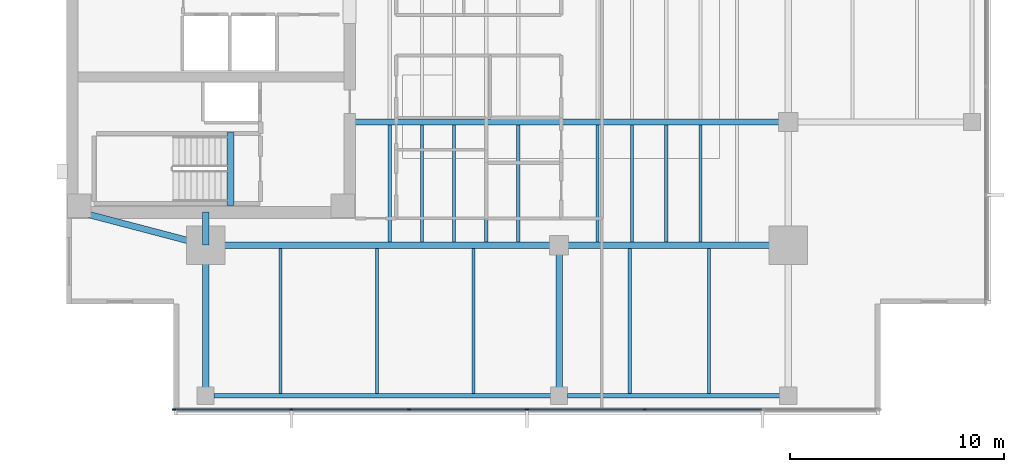
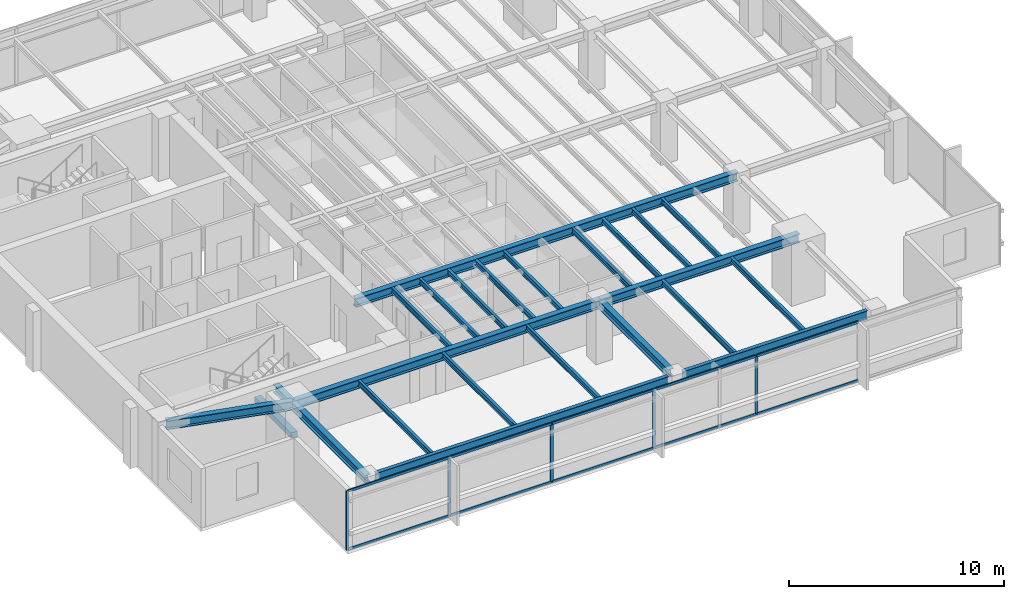
# One storey, part 2 of 14: 24 beams, 15 members, 1 element without a shape of its own.
"""IFC4 building model written with IfcOpenShell, lengths in metres."""

from ifc_helpers import new_model, si_unit, direction, frame, origin, origin_2d, place, context, subcontext, project, spatial, rectangle, i_section, extrude, material, layer, layer_set, material_profile, profile_set, type_object, element, aggregate, save


model = new_model("IFC4")

# Units and contexts
model_context = context("Model", 3, precision=1e-05, world=origin(), true_north=direction((0.0, 1.0)))
body_context = subcontext(model_context, "Body", "Model", "MODEL_VIEW")
ifc_project = project(units=[si_unit("LENGTHUNIT", "METRE"), si_unit("AREAUNIT", "SQUARE_METRE"), si_unit("VOLUMEUNIT", "CUBIC_METRE"), si_unit("PLANEANGLEUNIT", "RADIAN"), si_unit("MASSUNIT", "GRAM", prefix="KILO")], contexts=[model_context])

# Site, building, storey
site_placement = place(None, origin())
site = spatial("IfcSite", under=ifc_project, at=site_placement, CompositionType="ELEMENT")
building_placement = place(site_placement, origin())
building = spatial("IfcBuilding", under=site, at=building_placement, Name="Kinhvarn Gate Tower", CompositionType="ELEMENT")
storey_placement = place(building_placement, frame((0.0, 0.0, 195.14990234375)))
storey = spatial("IfcBuildingStorey", under=building, at=storey_placement, Name="L51", CompositionType="ELEMENT", Elevation=195.14990234375)

# Beam
ifc_material_1 = material(Name="Concrete C50/60", Category="concrete")
ifc_material_profile_1 = material_profile(ifc_material_1, rectangle(XDim=0.340087890625, YDim=0.320068359375, at=origin_2d()), Name="RC 340x320")
ifc_profile_set_1 = profile_set([ifc_material_profile_1], Name="Concrete C50/60")
beam_type_1 = type_object("IfcBeamType", Name="BM-LND-500", PredefinedType="BEAM", material=ifc_profile_set_1)
beam_1_placement = place(storey_placement, frame((12.1650390625, 14.60009765625, -0.159912109375), z_axis=(0.0, 1.0, 0.0), x_axis=(-1.0, 0.0, 0.0)))
element("IfcBeam", 1, at=beam_1_placement, inside=storey, type_object=beam_type_1, Name="Stair ST1 Landing Nosing Beam (L51)", PredefinedType="BEAM", context=body_context, shape_type="SweptSolid", body=[
    extrude(rectangle(XDim=0.340087890625, YDim=0.320068359375, at=origin_2d()), origin(), (0.0, 0.0, 1.0), 3.39990234375),
])

# Curtain wall, members
ifc_material_2 = material(Name="Anodised aluminium AW-6063", Category="aluminium")
ifc_layer = layer(ifc_material_2, 0.179931640625)
ifc_layer_set = layer_set([ifc_layer], Name="Anodised aluminium AW-6063")
curtain_wall_type = type_object("IfcCurtainWallType", Name="CW-SYS-3", PredefinedType="NOTDEFINED", material=ifc_layer_set)
curtain_wall_placement = place(storey_placement, origin())
curtain_wall = element("IfcCurtainWall", 2, at=curtain_wall_placement, inside=storey, type_object=curtain_wall_type, Name="Curtain Wall CW3 (L51)", PredefinedType="NOTDEFINED")
ifc_material_profile_2 = material_profile(ifc_material_2, rectangle(XDim=0.06494140625, YDim=0.159912109375, at=origin_2d()), Name="ALU 65x160")
ifc_profile_set_2 = profile_set([ifc_material_profile_2], Name="Anodised aluminium AW-6063")
member_type_1 = type_object("IfcMemberType", Name="CW-MUL-160", PredefinedType="MULLION", material=ifc_profile_set_2)
member_1_placement = place(storey_placement, frame((9.532470703125, 5.090087890625, 0.0), z_axis=(0.0, 0.0, 1.0), x_axis=(0.0, 1.0, 0.0)))
member_1 = element("IfcMember", 3, at=member_1_placement, type_object=member_type_1, Name="CW3 mullion 1", PredefinedType="MULLION", context=body_context, shape_type="SweptSolid", body=[
    extrude(rectangle(XDim=0.06494140625, YDim=0.159912109375, at=origin_2d()), origin(), (0.0, 0.0, 1.0), 3.3701171875),
])
member_2_placement = place(storey_placement, frame((15.0, 5.090087890625, 0.0), z_axis=(0.0, 0.0, 1.0), x_axis=(0.0, 1.0, 0.0)))
member_2 = element("IfcMember", 4, at=member_2_placement, type_object=member_type_1, Name="CW3 mullion 2", PredefinedType="MULLION", context=body_context, shape_type="SweptSolid", body=[
    extrude(rectangle(XDim=0.06494140625, YDim=0.159912109375, at=origin_2d()), origin(), (0.0, 0.0, 1.0), 3.3701171875),
])
member_3_placement = place(storey_placement, frame((20.5, 5.090087890625, 0.0), z_axis=(0.0, 0.0, 1.0), x_axis=(0.0, 1.0, 0.0)))
member_3 = element("IfcMember", 5, at=member_3_placement, type_object=member_type_1, Name="CW3 mullion 3", PredefinedType="MULLION", context=body_context, shape_type="SweptSolid", body=[
    extrude(rectangle(XDim=0.06494140625, YDim=0.159912109375, at=origin_2d()), origin(), (0.0, 0.0, 1.0), 3.3701171875),
])
member_4_placement = place(storey_placement, frame((26.0, 5.090087890625, 0.0), z_axis=(0.0, 0.0, 1.0), x_axis=(0.0, 1.0, 0.0)))
member_4 = element("IfcMember", 6, at=member_4_placement, type_object=member_type_1, Name="CW3 mullion 4", PredefinedType="MULLION", context=body_context, shape_type="SweptSolid", body=[
    extrude(rectangle(XDim=0.06494140625, YDim=0.159912109375, at=origin_2d()), origin(), (0.0, 0.0, 1.0), 3.3701171875),
])
member_5_placement = place(storey_placement, frame((31.5, 5.090087890625, 0.0), z_axis=(0.0, 0.0, 1.0), x_axis=(0.0, 1.0, 0.0)))
member_5 = element("IfcMember", 7, at=member_5_placement, type_object=member_type_1, Name="CW3 mullion 5", PredefinedType="MULLION", context=body_context, shape_type="SweptSolid", body=[
    extrude(rectangle(XDim=0.06494140625, YDim=0.159912109375, at=origin_2d()), origin(), (0.0, 0.0, 1.0), 3.3701171875),
])
ifc_material_profile_3 = material_profile(ifc_material_2, rectangle(XDim=0.070068359375, YDim=0.139892578125, at=origin_2d()), Name="ALU 70x140")
ifc_profile_set_3 = profile_set([ifc_material_profile_3], Name="Anodised aluminium AW-6063")
member_type_2 = type_object("IfcMemberType", Name="CW-TRN-140", PredefinedType="USERDEFINED", material=ifc_profile_set_3)
member_6_placement = place(storey_placement, frame((9.56494140625, 5.090087890625, 0.03515625), z_axis=(1.0, 0.0, 0.0), x_axis=(0.0, 1.0, 0.0)))
member_6 = element("IfcMember", 8, at=member_6_placement, type_object=member_type_2, Name="CW3 transom 1.1", ObjectType="TRANSOM", PredefinedType="USERDEFINED", context=body_context, shape_type="SweptSolid", body=[
    extrude(rectangle(XDim=0.070068359375, YDim=0.139892578125, at=origin_2d()), origin(), (0.0, 0.0, 1.0), 5.402587890625),
])
member_7_placement = place(storey_placement, frame((9.56494140625, 5.090087890625, 3.335205078125), z_axis=(1.0, 0.0, 0.0), x_axis=(0.0, 1.0, 0.0)))
member_7 = element("IfcMember", 9, at=member_7_placement, type_object=member_type_2, Name="CW3 transom 1.2", ObjectType="TRANSOM", PredefinedType="USERDEFINED", context=body_context, shape_type="SweptSolid", body=[
    extrude(rectangle(XDim=0.070068359375, YDim=0.139892578125, at=origin_2d()), origin(), (0.0, 0.0, 1.0), 5.402587890625),
])
member_8_placement = place(storey_placement, frame((15.032470703125, 5.090087890625, 0.03515625), z_axis=(1.0, 0.0, 0.0), x_axis=(0.0, 1.0, 0.0)))
member_8 = element("IfcMember", 10, at=member_8_placement, type_object=member_type_2, Name="CW3 transom 2.1", ObjectType="TRANSOM", PredefinedType="USERDEFINED", context=body_context, shape_type="SweptSolid", body=[
    extrude(rectangle(XDim=0.070068359375, YDim=0.139892578125, at=origin_2d()), origin(), (0.0, 0.0, 1.0), 5.43505859375),
])
member_9_placement = place(storey_placement, frame((15.032470703125, 5.090087890625, 3.335205078125), z_axis=(1.0, 0.0, 0.0), x_axis=(0.0, 1.0, 0.0)))
member_9 = element("IfcMember", 11, at=member_9_placement, type_object=member_type_2, Name="CW3 transom 2.2", ObjectType="TRANSOM", PredefinedType="USERDEFINED", context=body_context, shape_type="SweptSolid", body=[
    extrude(rectangle(XDim=0.070068359375, YDim=0.139892578125, at=origin_2d()), origin(), (0.0, 0.0, 1.0), 5.43505859375),
])
member_10_placement = place(storey_placement, frame((20.532470703125, 5.090087890625, 0.03515625), z_axis=(1.0, 0.0, 0.0), x_axis=(0.0, 1.0, 0.0)))
member_10 = element("IfcMember", 12, at=member_10_placement, type_object=member_type_2, Name="CW3 transom 3.1", ObjectType="TRANSOM", PredefinedType="USERDEFINED", context=body_context, shape_type="SweptSolid", body=[
    extrude(rectangle(XDim=0.070068359375, YDim=0.139892578125, at=origin_2d()), origin(), (0.0, 0.0, 1.0), 5.43505859375),
])
member_11_placement = place(storey_placement, frame((20.532470703125, 5.090087890625, 3.335205078125), z_axis=(1.0, 0.0, 0.0), x_axis=(0.0, 1.0, 0.0)))
member_11 = element("IfcMember", 13, at=member_11_placement, type_object=member_type_2, Name="CW3 transom 3.2", ObjectType="TRANSOM", PredefinedType="USERDEFINED", context=body_context, shape_type="SweptSolid", body=[
    extrude(rectangle(XDim=0.070068359375, YDim=0.139892578125, at=origin_2d()), origin(), (0.0, 0.0, 1.0), 5.43505859375),
])
member_12_placement = place(storey_placement, frame((26.032470703125, 5.090087890625, 0.03515625), z_axis=(1.0, 0.0, 0.0), x_axis=(0.0, 1.0, 0.0)))
member_12 = element("IfcMember", 14, at=member_12_placement, type_object=member_type_2, Name="CW3 transom 4.1", ObjectType="TRANSOM", PredefinedType="USERDEFINED", context=body_context, shape_type="SweptSolid", body=[
    extrude(rectangle(XDim=0.070068359375, YDim=0.139892578125, at=origin_2d()), origin(), (0.0, 0.0, 1.0), 5.43505859375),
])
member_13_placement = place(storey_placement, frame((26.032470703125, 5.090087890625, 3.335205078125), z_axis=(1.0, 0.0, 0.0), x_axis=(0.0, 1.0, 0.0)))
member_13 = element("IfcMember", 15, at=member_13_placement, type_object=member_type_2, Name="CW3 transom 4.2", ObjectType="TRANSOM", PredefinedType="USERDEFINED", context=body_context, shape_type="SweptSolid", body=[
    extrude(rectangle(XDim=0.070068359375, YDim=0.139892578125, at=origin_2d()), origin(), (0.0, 0.0, 1.0), 5.43505859375),
])
member_14_placement = place(storey_placement, frame((31.532470703125, 5.090087890625, 0.03515625), z_axis=(1.0, 0.0, 0.0), x_axis=(0.0, 1.0, 0.0)))
member_14 = element("IfcMember", 16, at=member_14_placement, type_object=member_type_2, Name="CW3 transom 5.1", ObjectType="TRANSOM", PredefinedType="USERDEFINED", context=body_context, shape_type="SweptSolid", body=[
    extrude(rectangle(XDim=0.070068359375, YDim=0.139892578125, at=origin_2d()), origin(), (0.0, 0.0, 1.0), 5.43505859375),
])
member_15_placement = place(storey_placement, frame((31.532470703125, 5.090087890625, 3.335205078125), z_axis=(1.0, 0.0, 0.0), x_axis=(0.0, 1.0, 0.0)))
member_15 = element("IfcMember", 17, at=member_15_placement, type_object=member_type_2, Name="CW3 transom 5.2", ObjectType="TRANSOM", PredefinedType="USERDEFINED", context=body_context, shape_type="SweptSolid", body=[
    extrude(rectangle(XDim=0.070068359375, YDim=0.139892578125, at=origin_2d()), origin(), (0.0, 0.0, 1.0), 5.43505859375),
])
aggregate(curtain_wall, [member_1, member_2, member_3, member_4, member_5, member_6, member_7, member_8, member_9, member_10, member_11, member_12, member_13, member_14, member_15])

# Beams
ifc_material_3 = material(Name="Steel S355", Category="steel")
ifc_material_profile_4 = material_profile(ifc_material_3, i_section(OverallWidth=0.300048828125, OverallDepth=0.449951171875, WebThickness=0.013916015625, FlangeThickness=0.02587890625, at=origin_2d()), Name="HEB 450")
ifc_profile_set_4 = profile_set([ifc_material_profile_4], Name="Steel S355")
beam_type_2 = type_object("IfcBeamType", Name="STL-HEB450", PredefinedType="BEAM", material=ifc_profile_set_4)
beam_2_placement = place(storey_placement, frame((11.0, 5.719970703125, 3.14501953125), z_axis=(0.0, 1.0, 0.0), x_axis=(-1.0, 0.0, 0.0)))
element("IfcBeam", 18, at=beam_2_placement, inside=storey, type_object=beam_type_2, Name="Floor Beam PG-13 (L51 MCW-S)", PredefinedType="BEAM", context=body_context, shape_type="SweptSolid", body=[
    extrude(i_section(OverallWidth=0.300048828125, OverallDepth=0.449951171875, WebThickness=0.013916015625, FlangeThickness=0.02587890625, at=origin_2d()), origin(), (0.0, 0.0, 1.0), 7.030029296875),
])
beam_3_placement = place(storey_placement, frame((11.0, 12.75, 3.14501953125), z_axis=(0.0, 1.0, 0.0), x_axis=(-1.0, 0.0, 0.0)))
element("IfcBeam", 19, at=beam_3_placement, inside=storey, type_object=beam_type_2, Name="Floor Beam PG-13 (L51 MCW-CS)", PredefinedType="BEAM", context=body_context, shape_type="SweptSolid", body=[
    extrude(i_section(OverallWidth=0.300048828125, OverallDepth=0.449951171875, WebThickness=0.013916015625, FlangeThickness=0.02587890625, at=origin_2d()), origin(), (0.0, 0.0, 1.0), 1.550048828125),
])
beam_4_placement = place(storey_placement, frame((27.5, 6.10498046875, 3.14501953125), z_axis=(0.0, 1.0, 0.0), x_axis=(-1.0, 0.0, 0.0)))
element("IfcBeam", 20, at=beam_4_placement, inside=storey, type_object=beam_type_2, Name="Floor Beam PG-13 (L51 SP27-S-TIE)", PredefinedType="BEAM", context=body_context, shape_type="SweptSolid", body=[
    extrude(i_section(OverallWidth=0.300048828125, OverallDepth=0.449951171875, WebThickness=0.013916015625, FlangeThickness=0.02587890625, at=origin_2d()), origin(), (0.0, 0.0, 1.0), 6.64501953125),
])
ifc_material_profile_5 = material_profile(ifc_material_3, i_section(OverallWidth=0.300048828125, OverallDepth=0.5, WebThickness=0.014404296875, FlangeThickness=0.028076171875, at=origin_2d()), Name="HEB 500")
ifc_profile_set_5 = profile_set([ifc_material_profile_5], Name="Steel S355")
beam_type_3 = type_object("IfcBeamType", Name="STL-HEB500", PredefinedType="BEAM", material=ifc_profile_set_5)
beam_5_placement = place(storey_placement, frame((11.0, 12.75, 3.1201171875), z_axis=(1.0, 0.0, 0.0), x_axis=(0.0, 1.0, 0.0)))
element("IfcBeam", 21, at=beam_5_placement, inside=storey, type_object=beam_type_3, Name="Floor Beam PG-14 (L51 MG-S1)", PredefinedType="BEAM", context=body_context, shape_type="SweptSolid", body=[
    extrude(i_section(OverallWidth=0.300048828125, OverallDepth=0.5, WebThickness=0.014404296875, FlangeThickness=0.028076171875, at=origin_2d()), origin(), (0.0, 0.0, 1.0), 16.5),
])
beam_6_placement = place(storey_placement, frame((27.5, 12.75, 3.1201171875), z_axis=(1.0, 0.0, 0.0), x_axis=(0.0, 1.0, 0.0)))
element("IfcBeam", 22, at=beam_6_placement, inside=storey, type_object=beam_type_3, Name="Floor Beam PG-14 (L51 MG-S2)", PredefinedType="BEAM", context=body_context, shape_type="SweptSolid", body=[
    extrude(i_section(OverallWidth=0.300048828125, OverallDepth=0.5, WebThickness=0.014404296875, FlangeThickness=0.028076171875, at=origin_2d()), origin(), (0.0, 0.0, 1.0), 10.699951171875),
])
beam_7_placement = place(storey_placement, frame((5.10009765625, 14.300048828125, 3.1201171875), z_axis=(0.967177623957, -0.254101246979, 0.0), x_axis=(0.254101246979, 0.967177623957, 0.0)))
element("IfcBeam", 23, at=beam_7_placement, inside=storey, type_object=beam_type_3, Name="Floor Beam PG-14 (L51 MG-SW-DIAG)", PredefinedType="BEAM", context=body_context, shape_type="SweptSolid", body=[
    extrude(i_section(OverallWidth=0.300048828125, OverallDepth=0.5, WebThickness=0.014404296875, FlangeThickness=0.028076171875, at=origin_2d()), origin(), (0.0, 0.0, 1.0), 6.10009765625),
])
beam_8_placement = place(storey_placement, frame((17.64990234375, 18.5, 3.1201171875), z_axis=(1.0, 0.0, 0.0), x_axis=(0.0, 1.0, 0.0)))
element("IfcBeam", 24, at=beam_8_placement, inside=storey, type_object=beam_type_3, Name="Floor Beam PG-14 (L51 EW1-Y18)", PredefinedType="BEAM", context=body_context, shape_type="SweptSolid", body=[
    extrude(i_section(OverallWidth=0.300048828125, OverallDepth=0.5, WebThickness=0.014404296875, FlangeThickness=0.028076171875, at=origin_2d()), origin(), (0.0, 0.0, 1.0), 20.550048828125),
])
ifc_material_profile_6 = material_profile(ifc_material_3, i_section(OverallWidth=0.14990234375, OverallDepth=0.300048828125, WebThickness=0.007080078125, FlangeThickness=0.0107421875, at=origin_2d()), Name="IPE 300")
ifc_profile_set_6 = profile_set([ifc_material_profile_6], Name="Steel S355")
beam_type_4 = type_object("IfcBeamType", Name="STL-IPE300", PredefinedType="JOIST", material=ifc_profile_set_6)
for number, where, z_axis, x_axis, name in (
    (25, (19.60009765625, 12.89990234375, 3.22021484375), (0.0, 1.0, 0.0), (-1.0, 0.0, 0.0), "Floor Joist SB-02 (L51 JC-X196-0)"),
    (26, (21.10009765625, 12.89990234375, 3.22021484375), (0.0, 1.0, 0.0), (-1.0, 0.0, 0.0), "Floor Joist SB-02 (L51 JC-X211-0)"),
    (27, (22.60009765625, 12.89990234375, 3.22021484375), (0.0, 1.0, 0.0), (-1.0, 0.0, 0.0), "Floor Joist SB-02 (L51 JC-X226-0)"),
    (28, (24.10009765625, 12.89990234375, 3.22021484375), (0.0, 1.0, 0.0), (-1.0, 0.0, 0.0), "Floor Joist SB-02 (L51 JC-X241-0)"),
    (29, (25.60009765625, 12.89990234375, 3.22021484375), (0.0, 1.0, 0.0), (-1.0, 0.0, 0.0), "Floor Joist SB-02 (L51 JC-X256-0)"),
    (30, (29.300048828125, 12.89990234375, 3.22021484375), (0.0, 1.0, 0.0), (-1.0, 0.0, 0.0), "Floor Joist SB-02 (L51 JC-X293-0)"),
    (31, (30.89990234375, 12.89990234375, 3.22021484375), (0.0, 1.0, 0.0), (-1.0, 0.0, 0.0), "Floor Joist SB-02 (L51 JC-X309-0)"),
    (32, (32.5, 12.89990234375, 3.22021484375), (0.0, 1.0, 0.0), (-1.0, 0.0, 0.0), "Floor Joist SB-02 (L51 JC-X325-0)"),
    (33, (34.10009765625, 12.89990234375, 3.22021484375), (0.0, 1.0, 0.0), (-1.0, 0.0, 0.0), "Floor Joist SB-02 (L51 JC-X341-0)"),
):
    element("IfcBeam", number, at=place(storey_placement, frame(where, z_axis=z_axis, x_axis=x_axis)), inside=storey, type_object=beam_type_4, Name=name, PredefinedType="JOIST", context=body_context, shape_type="SweptSolid", body=[
        extrude(i_section(OverallWidth=0.14990234375, OverallDepth=0.300048828125, WebThickness=0.007080078125, FlangeThickness=0.0107421875, at=origin_2d()), origin(), (0.0, 0.0, 1.0), 5.4501953125),
    ])
for number, where, z_axis, x_axis, name in (
    (34, (14.5, 5.820068359375, 3.22021484375), (0.0, 1.0, 0.0), (-1.0, 0.0, 0.0), "Floor Joist SB-02 (L51 JS-X145)"),
    (35, (19.0, 5.820068359375, 3.22021484375), (0.0, 1.0, 0.0), (-1.0, 0.0, 0.0), "Floor Joist SB-02 (L51 JS-X190)"),
    (36, (23.5, 5.820068359375, 3.22021484375), (0.0, 1.0, 0.0), (-1.0, 0.0, 0.0), "Floor Joist SB-02 (L51 JS-X235)"),
    (37, (30.800048828125, 5.820068359375, 3.22021484375), (0.0, 1.0, 0.0), (-1.0, 0.0, 0.0), "Floor Joist SB-02 (L51 JS-X308)"),
    (38, (34.5, 5.820068359375, 3.22021484375), (0.0, 1.0, 0.0), (-1.0, 0.0, 0.0), "Floor Joist SB-02 (L51 JS-X345)"),
):
    element("IfcBeam", number, at=place(storey_placement, frame(where, z_axis=z_axis, x_axis=x_axis)), inside=storey, type_object=beam_type_4, Name=name, PredefinedType="JOIST", context=body_context, shape_type="SweptSolid", body=[
        extrude(i_section(OverallWidth=0.14990234375, OverallDepth=0.300048828125, WebThickness=0.007080078125, FlangeThickness=0.0107421875, at=origin_2d()), origin(), (0.0, 0.0, 1.0), 6.780029296875),
    ])
ifc_material_profile_7 = material_profile(ifc_material_3, i_section(OverallWidth=0.199951171875, OverallDepth=0.5, WebThickness=0.01025390625, FlangeThickness=0.01611328125, at=origin_2d()), Name="IPE 500")
ifc_profile_set_7 = profile_set([ifc_material_profile_7], Name="Steel S355")
beam_type_5 = type_object("IfcBeamType", Name="STL-IPE500", PredefinedType="SPANDREL", material=ifc_profile_set_7)
beam_9_placement = place(storey_placement, frame((11.385009765625, 5.719970703125, 3.1201171875), z_axis=(1.0, 0.0, 0.0), x_axis=(0.0, 1.0, 0.0)))
element("IfcBeam", 39, at=beam_9_placement, inside=storey, type_object=beam_type_5, Name="Floor Spandrel SB-07 (L51 SP-S1)", PredefinedType="SPANDREL", context=body_context, shape_type="SweptSolid", body=[
    extrude(i_section(OverallWidth=0.199951171875, OverallDepth=0.5, WebThickness=0.01025390625, FlangeThickness=0.01611328125, at=origin_2d()), origin(), (0.0, 0.0, 1.0), 15.72998046875),
])
beam_10_placement = place(storey_placement, frame((27.885009765625, 5.719970703125, 3.1201171875), z_axis=(1.0, 0.0, 0.0), x_axis=(0.0, 1.0, 0.0)))
element("IfcBeam", 40, at=beam_10_placement, inside=storey, type_object=beam_type_5, Name="Floor Spandrel SB-07 (L51 SP-S2)", PredefinedType="SPANDREL", context=body_context, shape_type="SweptSolid", body=[
    extrude(i_section(OverallWidth=0.199951171875, OverallDepth=0.5, WebThickness=0.01025390625, FlangeThickness=0.01611328125, at=origin_2d()), origin(), (0.0, 0.0, 1.0), 9.929931640625),
])

save(model, "model.ifc")
